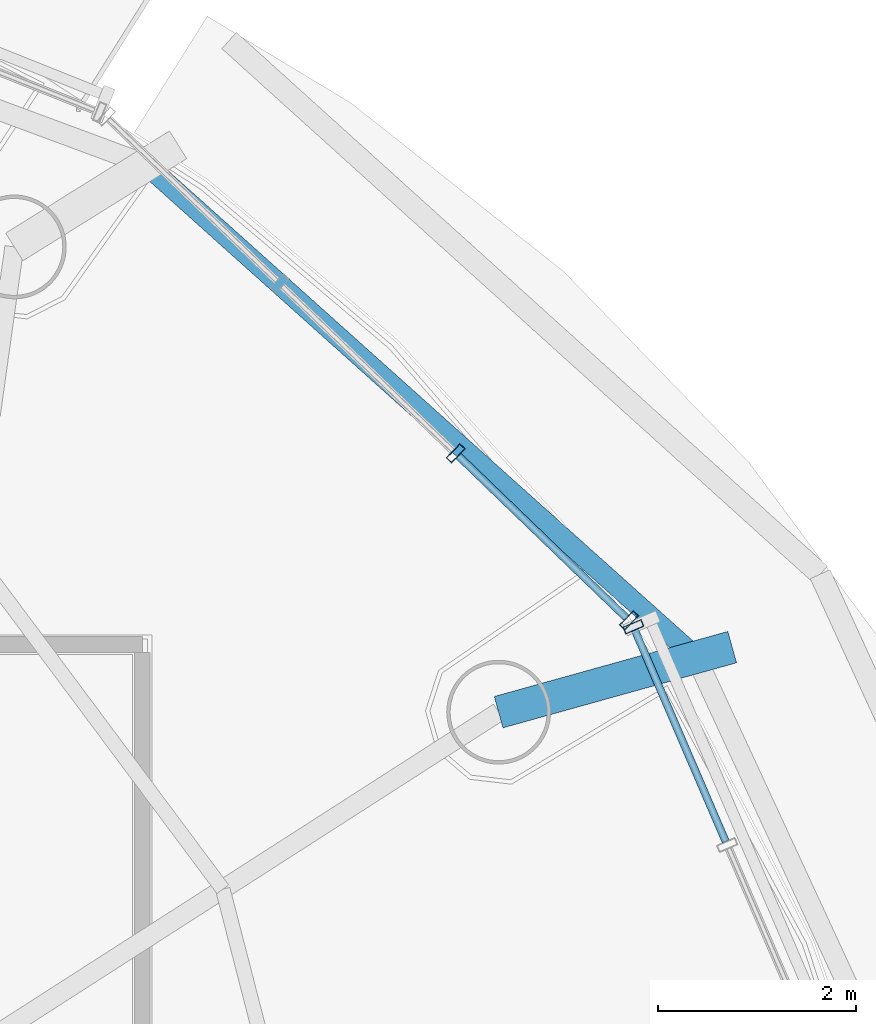
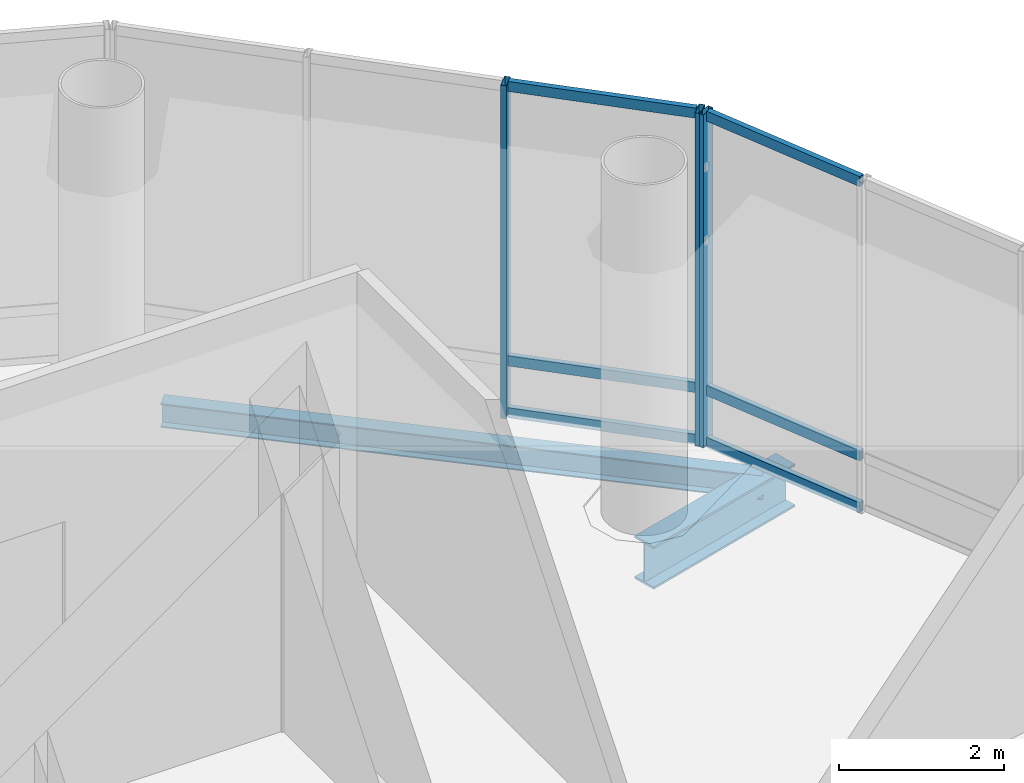
# One storey, part 10 of 22: 9 members, 2 beams, 2 elements without a shape of their own.
"""IFC4 building model written with IfcOpenShell, lengths in metres."""

import ifcopenshell
import ifcopenshell.guid

model = None  # the IFC model being written
_history = None  # IfcOwnerHistory: only IFC2X3 demands one
_inside = {}  # id of a spatial element -> (the spatial element, [elements in it])
_under = {}  # id of a project, library or spatial element -> (it, [spatial elements below it])
_declared = {}  # id of a project -> (the project, [libraries it declares])
_typed = {}  # id of a type object -> (the type object, [elements of that type])
_made_of = {}  # id of a material, layer set ... -> (it, [elements and type objects made of it])


def new_model(schema):
    """Start an empty IFC model of exactly this schema.

    Asked for "IFC4X3", IfcOpenShell would pick the latest addendum, in which some entities
    have other attributes; the version numbers below select the first issue.
    IFC2X3 requires an IfcOwnerHistory on every rooted entity: one is made here for all.
    """
    global model, _history
    if schema == "IFC4X3":
        model = ifcopenshell.file(schema_version=(4, 3, 0, 0))
    else:
        model = ifcopenshell.file(schema=schema)
    _inside.clear()
    _under.clear()
    _declared.clear()
    _typed.clear()
    _made_of.clear()
    _history = None
    if model.schema == "IFC2X3":
        org = make("IfcOrganization", Name="unknown")
        user = make(
            "IfcPersonAndOrganization",
            ThePerson=make("IfcPerson", FamilyName="unknown"),
            TheOrganization=org,
        )
        app = make(
            "IfcApplication",
            ApplicationDeveloper=org,
            Version="unknown",
            ApplicationFullName="unknown",
            ApplicationIdentifier="unknown",
        )
        _history = make(
            "IfcOwnerHistory",
            OwningUser=user,
            OwningApplication=app,
            ChangeAction="ADDED",
            CreationDate=0,
        )
    return model


def make(cls, **values):
    """One entity of the class cls with the attributes given. An attribute that is None is left unset."""
    return model.create_entity(
        cls, **{name: value for name, value in values.items() if value is not None}
    )


def rooted(cls, **values):
    """An entity with a GlobalId (a new one), such as an element, a storey or a relation."""
    return make(cls, GlobalId=ifcopenshell.guid.new(), OwnerHistory=_history, **values)


def si_unit(unit_type, name, prefix=None):
    """IfcSIUnit, for example si_unit("LENGTHUNIT", "METRE", prefix="MILLI")."""
    return make("IfcSIUnit", UnitType=unit_type, Prefix=prefix, Name=name)


def assignment(units):
    """IfcUnitAssignment: the units of a project."""
    return None if units is None else make("IfcUnitAssignment", Units=units)


def point(xyz):
    """IfcCartesianPoint."""
    return None if xyz is None else make("IfcCartesianPoint", Coordinates=xyz)


def direction(xyz):
    """IfcDirection."""
    return None if xyz is None else make("IfcDirection", DirectionRatios=xyz)


def frame(location, z_axis=None, x_axis=None):
    """IfcAxis2Placement3D, a coordinate frame: its origin and axes. An axis left out is left unset."""
    return make(
        "IfcAxis2Placement3D",
        Location=point(location),
        Axis=direction(z_axis),
        RefDirection=direction(x_axis),
    )


def frame_2d(location, x_axis=None):
    """IfcAxis2Placement2D, a coordinate frame in the plane: its origin and x axis."""
    return make(
        "IfcAxis2Placement2D", Location=point(location), RefDirection=direction(x_axis)
    )


def origin():
    """The frame at (0, 0, 0) with its axes left unset."""
    return frame((0.0, 0.0, 0.0))


def origin_2d():
    """The frame at (0, 0) in the plane with its x axis left unset."""
    return frame_2d((0.0, 0.0))


def place(relative_to, where):
    """IfcLocalPlacement: puts the frame where relative to a parent placement (None: the world)."""
    return make(
        "IfcLocalPlacement", PlacementRelTo=relative_to, RelativePlacement=where
    )


def context(
    kind, dimensions, precision=None, world=None, true_north=None, identifier=None
):
    """IfcGeometricRepresentationContext, for example the 3D "Model" context."""
    return make(
        "IfcGeometricRepresentationContext",
        ContextIdentifier=identifier,
        ContextType=kind,
        CoordinateSpaceDimension=dimensions,
        Precision=precision,
        WorldCoordinateSystem=world,
        TrueNorth=true_north,
    )


def subcontext(parent, identifier, kind, view, scale=None):
    """IfcGeometricRepresentationSubContext, for example "Body" below "Model"."""
    return make(
        "IfcGeometricRepresentationSubContext",
        ContextIdentifier=identifier,
        ContextType=kind,
        ParentContext=parent,
        TargetScale=scale,
        TargetView=view,
    )


def project(units=None, contexts=None):
    """IfcProject with its units and contexts."""
    return rooted(
        "IfcProject",
        Name="project",
        RepresentationContexts=contexts,
        UnitsInContext=assignment(units),
    )


def spatial(cls, under=None, at=None, **own):
    """A site, building, storey or space (cls), placed at a placement, below another one or the project."""
    s = rooted(cls, ObjectPlacement=at, **own)
    if under is not None:
        _under.setdefault(under.id(), (under, []))[1].append(s)
    return s


def profile(cls, at=None, kind="AREA", **sizes):
    """A parametric profile (cls). Its sizes go by their IFC names, for example OverallWidth=200.0."""
    return make(cls, ProfileType=kind, Position=at, **sizes)


def hollow_rectangle(**sizes):
    """IfcRectangleHollowProfileDef."""
    return profile("IfcRectangleHollowProfileDef", **sizes)


def i_section(**sizes):
    """IfcIShapeProfileDef."""
    return profile("IfcIShapeProfileDef", **sizes)


def extrude(swept, where, along, depth):
    """IfcExtrudedAreaSolid: the profile swept, set in the frame where, extruded along a direction by depth."""
    return make(
        "IfcExtrudedAreaSolid",
        SweptArea=swept,
        Position=where,
        ExtrudedDirection=direction(along),
        Depth=depth,
    )


def shape(context_of_items, identifier, shape_type, items):
    """IfcShapeRepresentation: the items that make up one representation, for example the "Body"."""
    return make(
        "IfcShapeRepresentation",
        ContextOfItems=context_of_items,
        RepresentationIdentifier=identifier,
        RepresentationType=shape_type,
        Items=items,
    )


def source(mapping_origin, context_of_items, identifier, shape_type, items):
    """IfcRepresentationMap: a shape defined once, which mapped items show again and again."""
    return make(
        "IfcRepresentationMap",
        MappingOrigin=mapping_origin,
        MappedRepresentation=shape(context_of_items, identifier, shape_type, items),
    )


def transform(
    local_origin,
    x_axis=None,
    y_axis=None,
    z_axis=None,
    scale=None,
    scale2=None,
    scale3=None,
    uniform=True,
):
    """IfcCartesianTransformationOperator3D, or its non-uniform kind. x_axis, y_axis, z_axis: its Axis1, 2, 3."""
    if uniform:
        return make(
            "IfcCartesianTransformationOperator3D",
            Axis1=direction(x_axis),
            Axis2=direction(y_axis),
            LocalOrigin=point(local_origin),
            Scale=scale,
            Axis3=direction(z_axis),
        )
    return make(
        "IfcCartesianTransformationOperator3DnonUniform",
        Axis1=direction(x_axis),
        Axis2=direction(y_axis),
        LocalOrigin=point(local_origin),
        Scale=scale,
        Axis3=direction(z_axis),
        Scale2=scale2,
        Scale3=scale3,
    )


def mapped(mapping_source, mapping_target):
    """IfcMappedItem: shows the shape of a source again, moved by a transform."""
    return make(
        "IfcMappedItem", MappingSource=mapping_source, MappingTarget=mapping_target
    )


def material(Name=None, Category=None):
    """IfcMaterial."""
    return make("IfcMaterial", Name=Name, Category=Category)


def material_profile(
    of_material, cross_section, Name=None, Category=None, Priority=None
):
    """IfcMaterialProfile: a cross section and its material."""
    return make(
        "IfcMaterialProfile",
        Name=Name,
        Material=of_material,
        Profile=cross_section,
        Priority=Priority,
        Category=Category,
    )


def profile_set(profiles, Name=None, composite=None):
    """IfcMaterialProfileSet."""
    return make(
        "IfcMaterialProfileSet",
        Name=Name,
        MaterialProfiles=profiles,
        CompositeProfile=composite,
    )


def made_of(thing, what):
    """Note that an element or type object is made of a material, layer set ...; save() writes the relation."""
    if what is not None:
        _made_of.setdefault(what.id(), (what, []))[1].append(thing)
    return thing


def type_object(cls, material=None, **own):
    """A type object (cls), such as IfcWallType, which elements share."""
    return made_of(rooted(cls, **own), material)


def element(
    cls,
    number,
    at=None,
    inside=None,
    cuts=None,
    type_object=None,
    material=None,
    context=None,
    identifier="Body",
    shape_type=None,
    held_by="IfcProductDefinitionShape",
    body=None,
    shapes=None,
    **own,
):
    """One element of the class cls, such as IfcWall. Its Tag is "e" and its number.

    at: its placement. inside: the storey or other place that contains it. cuts: it is an
    opening in that element (IfcRelVoidsElement). A single representation is given by context,
    identifier, shape_type and body (its items); several are given by shapes. held_by: the class
    of the entity that holds the representations. save() writes the other relations.
    """
    e = rooted(cls, Tag="e%d" % number, ObjectPlacement=at, **own)
    if body is not None:
        shapes = [shape(context, identifier, shape_type, body)]
    if shapes is not None:
        e.Representation = make(held_by, Representations=shapes)
    if inside is not None:
        _inside.setdefault(inside.id(), (inside, []))[1].append(e)
    if cuts is not None:
        rooted(
            "IfcRelVoidsElement", RelatingBuildingElement=cuts, RelatedOpeningElement=e
        )
    if type_object is not None:
        _typed.setdefault(type_object.id(), (type_object, []))[1].append(e)
    return made_of(e, material)


def aggregate(whole, parts):
    """IfcRelAggregates: a whole, such as a stair, and the parts it consists of."""
    return rooted("IfcRelAggregates", RelatingObject=whole, RelatedObjects=parts)


def save(model, path):
    """Write the relations noted so far, then the file.

    IfcRelAggregates (storeys below a building ...), IfcRelContainedInSpatialStructure (elements
    in a storey), IfcRelDefinesByType, IfcRelAssociatesMaterial and IfcRelDeclares: one each for
    every whole, place, type object, material and project.
    """
    for whole, parts in _under.values():
        aggregate(whole, parts)
    for where, things in _inside.values():
        rooted(
            "IfcRelContainedInSpatialStructure",
            RelatedElements=things,
            RelatingStructure=where,
        )
    for kind, things in _typed.values():
        rooted("IfcRelDefinesByType", RelatedObjects=things, RelatingType=kind)
    for what, things in _made_of.values():
        rooted("IfcRelAssociatesMaterial", RelatedObjects=things, RelatingMaterial=what)
    for by, libraries in _declared.values():
        rooted("IfcRelDeclares", RelatingContext=by, RelatedDefinitions=libraries)
    model.write(path)


model = new_model("IFC4")

# Units and contexts
model_context = context("Model", 3, precision=1e-05, world=origin(), true_north=direction((-0.2419218956, 0.970295726276)))
body_context = subcontext(model_context, "Body", "Model", "MODEL_VIEW")
ifc_project = project(units=[si_unit("LENGTHUNIT", "METRE"), si_unit("AREAUNIT", "SQUARE_METRE"), si_unit("VOLUMEUNIT", "CUBIC_METRE"), si_unit("PLANEANGLEUNIT", "RADIAN"), si_unit("MASSUNIT", "GRAM", prefix="KILO")], contexts=[model_context])

# Site, building, storey
site_placement = place(None, origin())
site = spatial("IfcSite", under=ifc_project, at=site_placement, CompositionType="ELEMENT")
building_placement = place(site_placement, origin())
building = spatial("IfcBuilding", under=site, at=building_placement, Name="Cobrevalo Terracotta Tower", CompositionType="ELEMENT")
storey_placement = place(building_placement, frame((0.0, 0.0, 243.0)))
storey = spatial("IfcBuildingStorey", under=building, at=storey_placement, Name="L64", CompositionType="ELEMENT", Elevation=243.0)

# Beams
ifc_material_1 = material(Name="Steel S355", Category="steel")
ifc_material_profile_1 = material_profile(ifc_material_1, i_section(OverallWidth=0.3291015625, OverallDepth=0.635009765625, WebThickness=0.017822265625, FlangeThickness=0.031005859375, at=origin_2d()), Name="W 610x241")
ifc_profile_set_1 = profile_set([ifc_material_profile_1], Name="Steel S355")
beam_type_1 = type_object("IfcBeamType", Name="Structural Beam W 610x241 (Steel S355)", PredefinedType="BEAM", material=ifc_profile_set_1)
beam_1_placement = place(storey_placement, frame((55.1201171875, 36.929931640625, -0.767578125), z_axis=(-0.963362222212, -0.268203707683, 0.0), x_axis=(0.268203707683, -0.963362222212, 0.0)))
element("IfcBeam", 1, at=beam_1_placement, inside=storey, type_object=beam_type_1, Name="L64 setback step-link girder 02", PredefinedType="BEAM", context=body_context, shape_type="SweptSolid", body=[
    extrude(i_section(OverallWidth=0.3291015625, OverallDepth=0.635009765625, WebThickness=0.017822265625, FlangeThickness=0.031005859375, at=origin_2d()), origin(), (0.0, 0.0, 1.0), 2.451416015625),
])
ifc_material_profile_2 = material_profile(ifc_material_1, i_section(OverallWidth=0.205078125, OverallDepth=0.35400390625, WebThickness=0.009521484375, FlangeThickness=0.016845703125, at=origin_2d()), Name="W 360x79")
ifc_profile_set_2 = profile_set([ifc_material_profile_2], Name="Steel S355")
beam_type_2 = type_object("IfcBeamType", Name="Structural Spandrel W 360x79 (Steel S355)", PredefinedType="SPANDREL", material=ifc_profile_set_2)
beam_2_placement = place(storey_placement, frame((54.754150390625, 36.828125, -0.626953125), z_axis=(-0.744851930997, 0.667229796165, 0.0), x_axis=(-0.667229796165, -0.744851930997, 0.0)))
element("IfcBeam", 2, at=beam_2_placement, inside=storey, type_object=beam_type_2, Name="L64 perimeter ring spandrel 02", PredefinedType="SPANDREL", context=body_context, shape_type="SweptSolid", body=[
    extrude(i_section(OverallWidth=0.205078125, OverallDepth=0.35400390625, WebThickness=0.009521484375, FlangeThickness=0.016845703125, at=origin_2d()), origin(), (0.0, 0.0, 1.0), 7.463623046875),
])

# Curtain wall, member
ifc_material_2 = material(Name="Anodized aluminium", Category="aluminium")
curtain_wall_type = type_object("IfcCurtainWallType", Name="Double-height sky-lobby panoramic curtain wall CW-SK", PredefinedType="NOTDEFINED", material=ifc_material_2)
curtain_wall_1_placement = place(storey_placement, origin())
curtain_wall_1 = element("IfcCurtainWall", 3, at=curtain_wall_1_placement, inside=storey, type_object=curtain_wall_type, Name="L64 curtain wall CW-SK-L64-S01", PredefinedType="NOTDEFINED")
ifc_material_profile_3 = material_profile(ifc_material_2, hollow_rectangle(XDim=0.074951171875, YDim=0.199951171875, WallThickness=0.0048828125, at=origin_2d()), Name="CWM 75x200")
ifc_profile_set_3 = profile_set([ifc_material_profile_3], Name="Anodized aluminium")
member_type_1 = type_object("IfcMemberType", Name="Lower/mid tower unitised mullion 75x200", PredefinedType="MULLION", material=ifc_profile_set_3)
shared_shape_1 = source(origin(), body_context, "Body", "SweptSolid", [
    extrude(hollow_rectangle(XDim=0.074951171875, YDim=0.199951171875, WallThickness=0.0048828125, at=origin_2d()), origin(), (0.0, 0.0, 1.0), 4.93994140625),
])
member_1_placement = place(storey_placement, frame((54.121337890625, 37.1357421875, 0.0), z_axis=(0.0, 0.0, 1.0), x_axis=(-0.39482403454, 0.91875675875, 0.0)))
member_1 = element("IfcMember", 4, at=member_1_placement, type_object=member_type_1, Name="CW-SK-L64-S01 vertical mullion 04", PredefinedType="MULLION", context=body_context, shape_type="MappedRepresentation", body=[
    mapped(shared_shape_1, transform((0.0, 0.0, 0.0), scale=1.0)),
])

# Curtain wall, members
curtain_wall_2_placement = place(storey_placement, origin())
curtain_wall_2 = element("IfcCurtainWall", 5, at=curtain_wall_2_placement, inside=storey, type_object=curtain_wall_type, Name="L64 curtain wall CW-SK-L64-S02", PredefinedType="NOTDEFINED")
member_2_placement = place(storey_placement, frame((54.07666015625, 37.2001953125, 0.0), z_axis=(0.0, 0.0, 1.0), x_axis=(-0.71999418085, 0.69398010025, 0.0)))
member_2 = element("IfcMember", 6, at=member_2_placement, type_object=member_type_1, Name="CW-SK-L64-S02 vertical mullion 01", PredefinedType="MULLION", context=body_context, shape_type="MappedRepresentation", body=[
    mapped(shared_shape_1, transform((0.0, 0.0, 0.0), scale=1.0)),
])
member_3_placement = place(storey_placement, frame((52.32421875, 38.889404296875, 0.0), z_axis=(0.0, 0.0, 1.0), x_axis=(-0.71999418085, 0.69398010025, 0.0)))
member_3 = element("IfcMember", 7, at=member_3_placement, type_object=member_type_1, Name="CW-SK-L64-S02 vertical mullion 02", PredefinedType="MULLION", context=body_context, shape_type="MappedRepresentation", body=[
    mapped(shared_shape_1, transform((0.0, 0.0, 0.0), scale=1.0)),
])

# Member
ifc_material_profile_4 = material_profile(ifc_material_2, hollow_rectangle(XDim=0.074951171875, YDim=0.14990234375, WallThickness=0.00439453125, at=origin_2d()), Name="CWT 75x150")
ifc_profile_set_4 = profile_set([ifc_material_profile_4], Name="Anodized aluminium")
member_type_2 = type_object("IfcMemberType", Name="Tower unitised aluminium transom 75x150", PredefinedType="USERDEFINED", material=ifc_profile_set_4)
shared_shape_2 = source(origin(), body_context, "Body", "SweptSolid", [
    extrude(hollow_rectangle(XDim=0.074951171875, YDim=0.14990234375, WallThickness=0.00439453125, at=origin_2d()), origin(), (0.0, 0.0, 1.0), 2.32177734375),
])
member_4_placement = place(storey_placement, frame((55.053955078125, 34.9658203125, 0.050048828125), z_axis=(-0.394858238772, 0.918742059162, 0.0), x_axis=(-0.918742059162, -0.394858238772, 0.0)))
member_4 = element("IfcMember", 8, at=member_4_placement, type_object=member_type_2, Name="CW-SK-L64-S01 transom B03-T1", ObjectType="TRANSOM", PredefinedType="USERDEFINED", context=body_context, shape_type="MappedRepresentation", body=[
    mapped(shared_shape_2, transform((0.0, 0.0, 0.0), scale=1.0)),
])

member_5_placement = place(storey_placement, frame((55.053955078125, 34.9658203125, 0.820068359375), z_axis=(-0.394858238772, 0.918742059162, 0.0), x_axis=(-0.918742059162, -0.394858238772, 0.0)))
member_5 = element("IfcMember", 9, at=member_5_placement, type_object=member_type_2, Name="CW-SK-L64-S01 transom B03-T2", ObjectType="TRANSOM", PredefinedType="USERDEFINED", context=body_context, shape_type="MappedRepresentation", body=[
    mapped(shared_shape_2, transform((0.0, 0.0, 0.0), scale=1.0)),
])

member_6_placement = place(storey_placement, frame((55.053955078125, 34.9658203125, 4.889892578125), z_axis=(-0.394858238772, 0.918742059162, 0.0), x_axis=(-0.918742059162, -0.394858238772, 0.0)))
member_6 = element("IfcMember", 10, at=member_6_placement, type_object=member_type_2, Name="CW-SK-L64-S01 transom B03-T3", ObjectType="TRANSOM", PredefinedType="USERDEFINED", context=body_context, shape_type="MappedRepresentation", body=[
    mapped(shared_shape_2, transform((0.0, 0.0, 0.0), scale=1.0)),
])

aggregate(curtain_wall_1, [member_1, member_4, member_5, member_6])

shared_shape_3 = source(origin(), body_context, "Body", "SweptSolid", [
    extrude(hollow_rectangle(XDim=0.074951171875, YDim=0.14990234375, WallThickness=0.00439453125, at=origin_2d()), origin(), (0.0, 0.0, 1.0), 2.35400390625),
])
member_7_placement = place(storey_placement, frame((54.0478515625, 37.22802734375, 0.050048828125), z_axis=(-0.719951629272, 0.694024244179, 0.0), x_axis=(-0.694024244179, -0.719951629272, 0.0)))
member_7 = element("IfcMember", 11, at=member_7_placement, type_object=member_type_2, Name="CW-SK-L64-S02 transom B01-T1", ObjectType="TRANSOM", PredefinedType="USERDEFINED", context=body_context, shape_type="MappedRepresentation", body=[
    mapped(shared_shape_3, transform((0.0, 0.0, 0.0), scale=1.0)),
])

member_8_placement = place(storey_placement, frame((54.0478515625, 37.22802734375, 0.820068359375), z_axis=(-0.719951629272, 0.694024244179, 0.0), x_axis=(-0.694024244179, -0.719951629272, 0.0)))
member_8 = element("IfcMember", 12, at=member_8_placement, type_object=member_type_2, Name="CW-SK-L64-S02 transom B01-T2", ObjectType="TRANSOM", PredefinedType="USERDEFINED", context=body_context, shape_type="MappedRepresentation", body=[
    mapped(shared_shape_3, transform((0.0, 0.0, 0.0), scale=1.0)),
])

member_9_placement = place(storey_placement, frame((54.0478515625, 37.22802734375, 4.889892578125), z_axis=(-0.719951629272, 0.694024244179, 0.0), x_axis=(-0.694024244179, -0.719951629272, 0.0)))
member_9 = element("IfcMember", 13, at=member_9_placement, type_object=member_type_2, Name="CW-SK-L64-S02 transom B01-T3", ObjectType="TRANSOM", PredefinedType="USERDEFINED", context=body_context, shape_type="MappedRepresentation", body=[
    mapped(shared_shape_3, transform((0.0, 0.0, 0.0), scale=1.0)),
])

aggregate(curtain_wall_2, [member_2, member_3, member_7, member_8, member_9])

save(model, "model.ifc")
